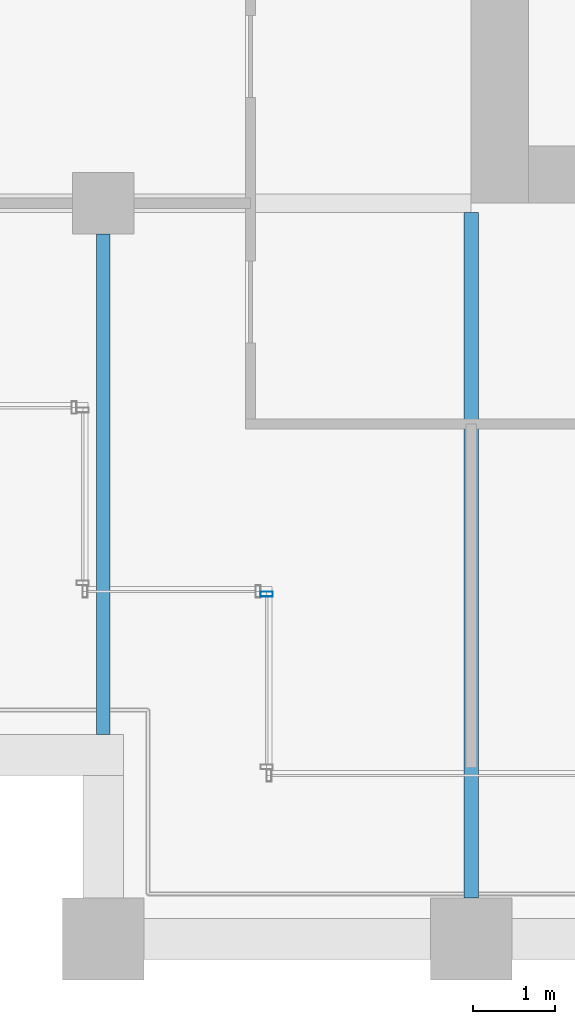
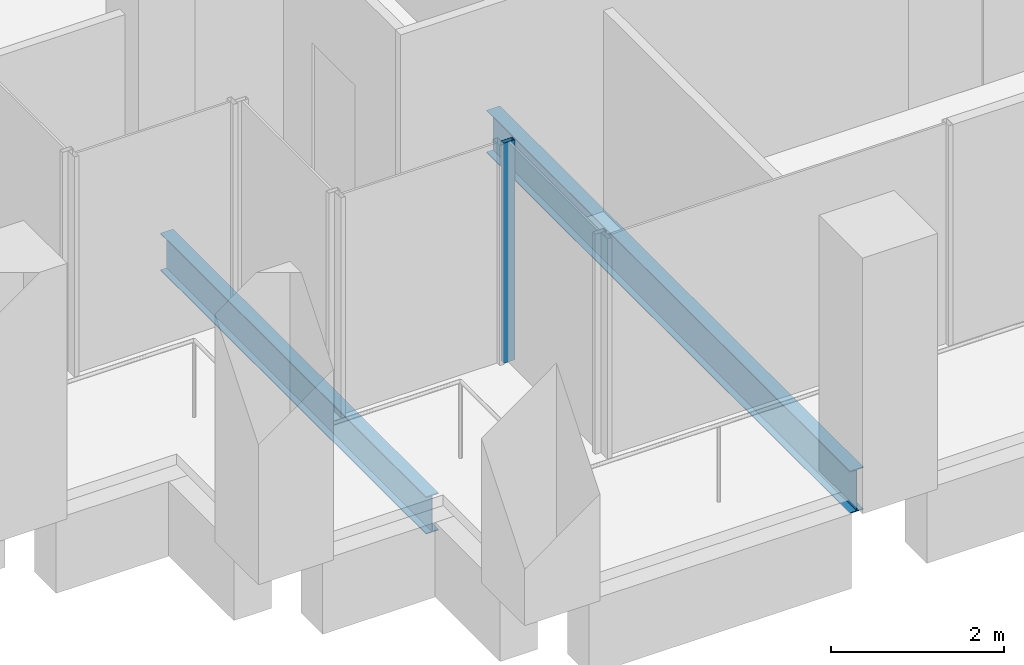
# One storey, part 29 of 47: 2 beams, 1 member, 1 element without a shape of its own.
"""IFC4 building model written with IfcOpenShell, lengths in metres."""

from ifc_helpers import new_model, si_unit, direction, frame, origin, origin_2d, place, context, subcontext, project, spatial, hollow_rectangle, i_section, extrude, material, material_profile, profile_set, type_object, element, aggregate, save


model = new_model("IFC4")

# Units and contexts
model_context = context("Model", 3, precision=1e-05, world=origin(), true_north=direction((0.0, 1.0)))
body_context = subcontext(model_context, "Body", "Model", "MODEL_VIEW")
ifc_project = project(units=[si_unit("LENGTHUNIT", "METRE"), si_unit("AREAUNIT", "SQUARE_METRE"), si_unit("VOLUMEUNIT", "CUBIC_METRE"), si_unit("PLANEANGLEUNIT", "RADIAN"), si_unit("MASSUNIT", "GRAM", prefix="KILO")], contexts=[model_context])

# Site, building, storey
site_placement = place(None, origin())
site = spatial("IfcSite", under=ifc_project, at=site_placement, CompositionType="ELEMENT")
building_placement = place(site_placement, origin())
building = spatial("IfcBuilding", under=site, at=building_placement, Name="Altepetl Exchange Towers", CompositionType="ELEMENT")
storey_placement = place(building_placement, frame((0.0, 0.0, 99.199951171875)))
storey = spatial("IfcBuildingStorey", under=building, at=storey_placement, Name="L24", CompositionType="ELEMENT", Elevation=99.199951171875)

# Beams
ifc_material_1 = material(Name="Steel S355", Category="steel")
ifc_material_profile_1 = material_profile(ifc_material_1, i_section(OverallWidth=0.166015625, OverallDepth=0.529052734375, WebThickness=0.009765625, FlangeThickness=0.013671875, at=origin_2d()), Name="W21X50")
ifc_profile_set_1 = profile_set([ifc_material_profile_1], Name="Steel S355")
beam_type_1 = type_object("IfcBeamType", Name="Floor beam W21X50", PredefinedType="BEAM", material=ifc_profile_set_1)
beam_1_placement = place(storey_placement, frame((99.0, 29.5, -0.41455078125), z_axis=(0.0, 1.0, 0.0), x_axis=(-1.0, 0.0, 0.0)))
element("IfcBeam", 1, at=beam_1_placement, inside=storey, type_object=beam_type_1, Name="bm:B:L24:004", PredefinedType="BEAM", context=body_context, shape_type="SweptSolid", body=[
    extrude(i_section(OverallWidth=0.166015625, OverallDepth=0.529052734375, WebThickness=0.009765625, FlangeThickness=0.013671875, at=origin_2d()), origin(), (0.0, 0.0, 1.0), 6.125),
])
ifc_material_profile_2 = material_profile(ifc_material_1, i_section(OverallWidth=0.177978515625, OverallDepth=0.59912109375, WebThickness=0.010009765625, FlangeThickness=0.0126953125, at=origin_2d()), Name="W24X55")
ifc_profile_set_2 = profile_set([ifc_material_profile_2], Name="Steel S355")
beam_type_2 = type_object("IfcBeamType", Name="Floor beam W24X55", PredefinedType="BEAM", material=ifc_profile_set_2)
beam_2_placement = place(storey_placement, frame((103.5, 27.5, -0.449462890625), z_axis=(0.0, 1.0, 0.0), x_axis=(-1.0, 0.0, 0.0)))
element("IfcBeam", 2, at=beam_2_placement, inside=storey, type_object=beam_type_2, Name="bm:B:L24:005", PredefinedType="BEAM", context=body_context, shape_type="SweptSolid", body=[
    extrude(i_section(OverallWidth=0.177978515625, OverallDepth=0.59912109375, WebThickness=0.010009765625, FlangeThickness=0.0126953125, at=origin_2d()), origin(), (0.0, 0.0, 1.0), 8.385986328125),
])

# Curtain wall, member
ifc_material_2 = material(Name="Aluminium 6063-T6 glazing", Category="aluminium")
curtain_wall_type = type_object("IfcCurtainWallType", Name="Loggia glazing system", PredefinedType="NOTDEFINED", material=ifc_material_2)
curtain_wall_placement = place(storey_placement, origin())
curtain_wall = element("IfcCurtainWall", 3, at=curtain_wall_placement, inside=storey, type_object=curtain_wall_type, Name="CW1 run", PredefinedType="NOTDEFINED")
ifc_material_3 = material(Name="Aluminium 6063-T6", Category="aluminium")
ifc_material_profile_3 = material_profile(ifc_material_3, hollow_rectangle(XDim=0.06005859375, YDim=0.14990234375, WallThickness=0.0029296875, at=origin_2d()), Name="Mullion 60x150 aluminium")
ifc_profile_set_3 = profile_set([ifc_material_profile_3], Name="Aluminium 6063-T6")
member_type = type_object("IfcMemberType", Name="Mullion 60x150 aluminium", PredefinedType="MULLION", material=ifc_profile_set_3)
member_placement = place(storey_placement, frame((101.0, 31.219970703125, 0.0), z_axis=(0.0, 0.0, 1.0), x_axis=(0.0, -1.0, 0.0)))
member = element("IfcMember", 4, at=member_placement, type_object=member_type, Name="MU1 mullion", PredefinedType="MULLION", context=body_context, shape_type="SweptSolid", body=[
    extrude(hollow_rectangle(XDim=0.06005859375, YDim=0.14990234375, WallThickness=0.0029296875, at=origin_2d()), origin(), (0.0, 0.0, 1.0), 3.10009765625),
])
aggregate(curtain_wall, [member])

save(model, "model.ifc")
